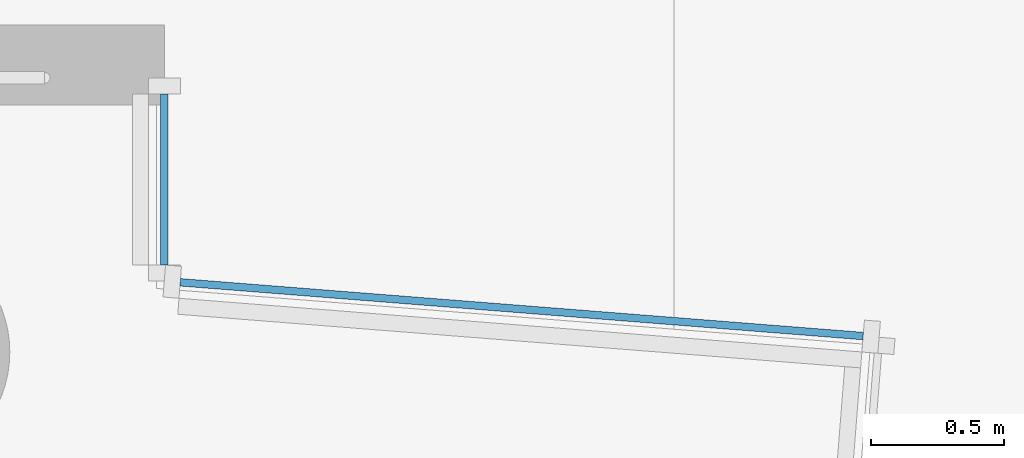
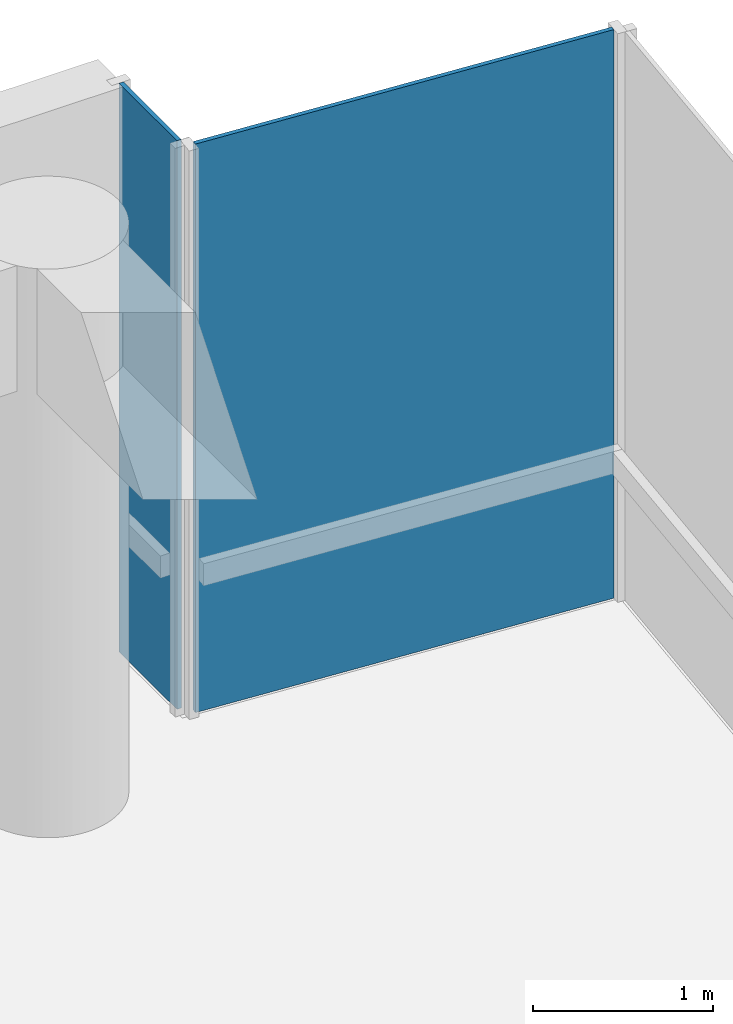
# One storey, part 18 of 23: 2 plates, 2 elements without a shape of their own.
"""IFC4 building model written with IfcOpenShell, lengths in metres."""

from ifc_helpers import new_model, si_unit, direction, frame, origin, origin_2d, place, context, subcontext, project, spatial, rectangle, extrude, material, layer, layer_set, type_object, element, aggregate, save


model = new_model("IFC4")

# Units and contexts
model_context = context("Model", 3, precision=1e-05, world=origin(), true_north=direction((0.0, 1.0)))
body_context = subcontext(model_context, "Body", "Model", "MODEL_VIEW")
ifc_project = project(units=[si_unit("LENGTHUNIT", "METRE"), si_unit("AREAUNIT", "SQUARE_METRE"), si_unit("VOLUMEUNIT", "CUBIC_METRE"), si_unit("PLANEANGLEUNIT", "RADIAN"), si_unit("MASSUNIT", "GRAM", prefix="KILO")], contexts=[model_context])

# Site, building, storey
site_placement = place(None, origin())
site = spatial("IfcSite", under=ifc_project, at=site_placement, CompositionType="ELEMENT")
building_placement = place(site_placement, origin())
building = spatial("IfcBuilding", under=site, at=building_placement, Name="Welwitschia Terrace Campus", CompositionType="ELEMENT")
storey_placement = place(building_placement, frame((0.0, 0.0, 247.39990234375)))
storey = spatial("IfcBuildingStorey", under=building, at=storey_placement, Name="L55", CompositionType="ELEMENT", Elevation=247.39990234375)

# Curtain wall, plate
ifc_material_1 = material(Name="Bronze anodised aluminium", Category="aluminium")
ifc_layer_1 = layer(ifc_material_1, 0.1201171875)
ifc_layer_set_1 = layer_set([ifc_layer_1], Name="Bronze anodised aluminium")
curtain_wall_type = type_object("IfcCurtainWallType", Name="Curtain wall CW2 tower 6000", PredefinedType="NOTDEFINED", material=ifc_layer_set_1)
curtain_wall_1_placement = place(storey_placement, origin())
curtain_wall_1 = element("IfcCurtainWall", 1, at=curtain_wall_1_placement, inside=storey, type_object=curtain_wall_type, Name="CW L55.9.0", PredefinedType="NOTDEFINED")
ifc_material_2 = material(Name="Tinted bronze-grey glass", Category="glass")
ifc_layer_2 = layer(ifc_material_2, 0.028076171875)
ifc_layer_set_2 = layer_set([ifc_layer_2], Name="Tinted bronze-grey glass")
plate_type = type_object("IfcPlateType", Name="Glass panel 28 tinted", PredefinedType="CURTAIN_PANEL", material=ifc_layer_set_2)
plate_1_placement = place(storey_placement, frame((26.371826171875, 70.161376953125, 0.0), z_axis=(0.0, 0.0, 1.0), x_axis=(-0.996917333733, 0.078459095728, 0.0)))
plate_1 = element("IfcPlate", 2, at=plate_1_placement, type_object=plate_type, Name="Panel L55.9.0.0", PredefinedType="CURTAIN_PANEL", context=body_context, shape_type="SweptSolid", body=[
    extrude(rectangle(XDim=2.572265625, YDim=0.028076171875, at=origin_2d()), origin(), (0.0, 0.0, 1.0), 3.85009765625),
])
aggregate(curtain_wall_1, [plate_1])

curtain_wall_2_placement = place(storey_placement, origin())
curtain_wall_2 = element("IfcCurtainWall", 3, at=curtain_wall_2_placement, inside=storey, type_object=curtain_wall_type, Name="CW L55.10.0", PredefinedType="NOTDEFINED")
plate_2_placement = place(storey_placement, frame((25.030029296875, 70.6484375, 0.0), z_axis=(0.0, 0.0, 1.0), x_axis=(0.0, 1.0, 0.0)))
plate_2 = element("IfcPlate", 4, at=plate_2_placement, type_object=plate_type, Name="Panel L55.10.0.0", PredefinedType="CURTAIN_PANEL", context=body_context, shape_type="SweptSolid", body=[
    extrude(rectangle(XDim=0.64306640625, YDim=0.028076171875, at=origin_2d()), origin(), (0.0, 0.0, 1.0), 3.85009765625),
])
aggregate(curtain_wall_2, [plate_2])

save(model, "model.ifc")
